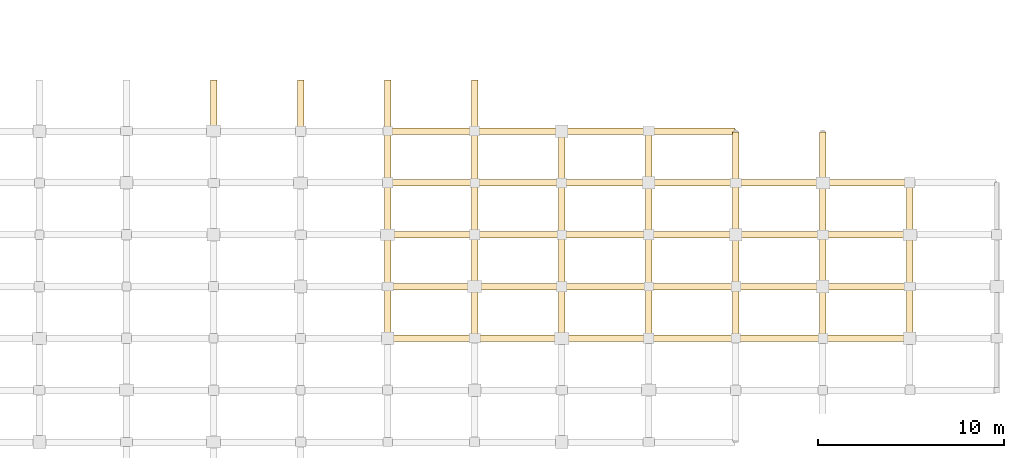
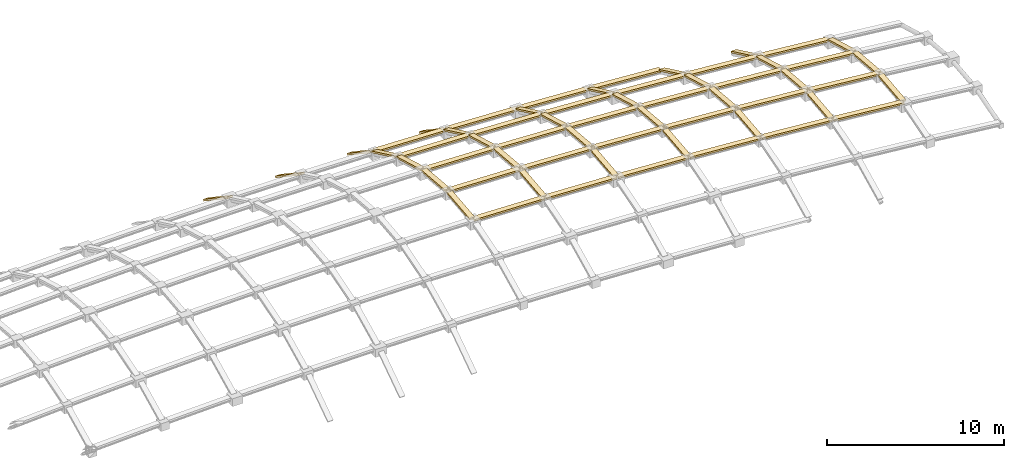
# One storey, part 35 of 36: 59 coverings.
"""IFC4 building model written with IfcOpenShell, lengths in metres."""

from ifc_helpers import new_model, si_unit, direction, frame, origin, place, context, subcontext, project, spatial, polyline, outline, extrude, material, layer, layer_set, type_object, element, save


model = new_model("IFC4")

# Units and contexts
model_context = context("Model", 3, precision=1e-05, world=origin(), true_north=direction((0.0, 1.0)))
body_context = subcontext(model_context, "Body", "Model", "MODEL_VIEW")
ifc_project = project(units=[si_unit("LENGTHUNIT", "METRE"), si_unit("AREAUNIT", "SQUARE_METRE"), si_unit("VOLUMEUNIT", "CUBIC_METRE"), si_unit("PLANEANGLEUNIT", "RADIAN"), si_unit("MASSUNIT", "GRAM", prefix="KILO")], contexts=[model_context])

# Site, building, storey
site_placement = place(None, origin())
site = spatial("IfcSite", under=ifc_project, at=site_placement, CompositionType="ELEMENT")
building_placement = place(site_placement, origin())
building = spatial("IfcBuilding", under=site, at=building_placement, Name="Quillay Park Conservatory", CompositionType="ELEMENT")
storey_placement = place(building_placement, frame((0.0, 0.0, 18.300048828125)))
storey = spatial("IfcBuildingStorey", under=building, at=storey_placement, Name="L04", CompositionType="ELEMENT", Elevation=18.300048828125)

# Coverings
ifc_material = material(Name="Thermally Broken Anodised Aluminium 6063-T6", Category="aluminium")
ifc_layer = layer(ifc_material, 0.090087890625)
ifc_layer_set = layer_set([ifc_layer], Name="GRIDSHELL GLAZING CAP BAR 90 (Thermally Broken Anodised Aluminium 6063-T6)")
covering_type = type_object("IfcCoveringType", Name="GRIDSHELL GLAZING CAP BAR 90", PredefinedType="CLADDING", material=ifc_layer_set)
for number, where, z_axis, x_axis, name in (
    (1, (72.574951171875, 107.8798828125, 1.15185546875), (0.0, 0.556164150236, 0.83107246254), (1.0, 0.0, 0.0), "Gridshell Transverse Glazing Cap Bar 09-08"),
    (2, (77.252685546875, 107.8798828125, 1.12060546875), (0.0, 0.556164150236, 0.83107246254), (1.0, 0.0, 0.0), "Gridshell Transverse Glazing Cap Bar 10-08"),
):
    element("IfcCovering", number, at=place(storey_placement, frame(where, z_axis=z_axis, x_axis=x_axis)), inside=storey, type_object=covering_type, Name=name, PredefinedType="CLADDING", context=body_context, shape_type="SweptSolid", body=[
        extrude(outline(polyline([(0.0, 0.0), (0.35009765625, 0.0), (0.35009765625, 3.230835715027263), (0.0, 3.230835715027263), (0.0, 0.0)])), origin(), (0.0, 0.0, -1.0), 0.1201171875),
    ])
covering_1_placement = place(storey_placement, frame((81.9306640625, 96.739990234375, 3.12841796875), z_axis=(0.0, -0.105607242225, 0.994407919513), x_axis=(1.0, 0.0, 0.0)))
element("IfcCovering", 3, at=covering_1_placement, inside=storey, type_object=covering_type, Name="Gridshell Transverse Glazing Cap Bar 11-04", PredefinedType="CLADDING", context=body_context, shape_type="SweptSolid", body=[
    extrude(outline(polyline([(0.0, 0.0), (0.349853515625, 0.0), (0.349853515625, 2.7001580951464286), (0.0, 2.7001580951464286), (0.0, 0.0)])), origin(), (0.0, 0.0, -1.0), 0.1201171875),
])
covering_2_placement = place(storey_placement, frame((81.9306640625, 99.52490234375, 3.41357421875), z_axis=(0.0, 0.086957947249, 0.996211983169), x_axis=(1.0, 0.0, 0.0)))
element("IfcCovering", 4, at=covering_2_placement, inside=storey, type_object=covering_type, Name="Gridshell Transverse Glazing Cap Bar 11-05", PredefinedType="CLADDING", context=body_context, shape_type="SweptSolid", body=[
    extrude(outline(polyline([(0.0, 0.0), (0.349853515625, 0.0), (0.349853515625, 2.6952683154921195), (0.0, 2.6952683154921195), (0.0, 0.0)])), origin(), (0.0, 0.0, -1.0), 0.1201171875),
])
covering_3_placement = place(storey_placement, frame((81.9306640625, 102.31005859375, 3.15966796875), z_axis=(0.0, 0.271622278609, 0.962403936901), x_axis=(1.0, 0.0, 0.0)))
element("IfcCovering", 5, at=covering_3_placement, inside=storey, type_object=covering_type, Name="Gridshell Transverse Glazing Cap Bar 11-06", PredefinedType="CLADDING", context=body_context, shape_type="SweptSolid", body=[
    extrude(outline(polyline([(0.0, 0.0), (0.349853515625, 0.0), (0.349853515625, 2.789949719444237), (0.0, 2.789949719444237), (0.0, 0.0)])), origin(), (0.0, 0.0, -1.0), 0.1201171875),
])
covering_4_placement = place(storey_placement, frame((81.9306640625, 105.094970703125, 2.36669921875), z_axis=(0.0, 0.429589332762, 0.903024365772), x_axis=(1.0, 0.0, 0.0)))
element("IfcCovering", 6, at=covering_4_placement, inside=storey, type_object=covering_type, Name="Gridshell Transverse Glazing Cap Bar 11-07", PredefinedType="CLADDING", context=body_context, shape_type="SweptSolid", body=[
    extrude(outline(polyline([(0.0, 0.0), (0.349853515625, 0.0), (0.349853515625, 2.973406582950739), (0.0, 2.973406582950739), (0.0, 0.0)])), origin(), (0.0, 0.0, -1.0), 0.1201171875),
])
covering_5_placement = place(storey_placement, frame((81.9306640625, 107.8798828125, 1.03466796875), z_axis=(0.0, 0.556164150236, 0.83107246254), x_axis=(1.0, 0.0, 0.0)))
element("IfcCovering", 7, at=covering_5_placement, inside=storey, type_object=covering_type, Name="Gridshell Transverse Glazing Cap Bar 11-08", PredefinedType="CLADDING", context=body_context, shape_type="SweptSolid", body=[
    extrude(outline(polyline([(0.0, 0.0), (0.349853515625, 0.0), (0.349853515625, 3.230835715027263), (0.0, 3.230835715027263), (0.0, 0.0)])), origin(), (0.0, 0.0, -1.0), 0.1201171875),
])
covering_6_placement = place(storey_placement, frame((86.6083984375, 96.739990234375, 2.97998046875), z_axis=(0.0, -0.105607242225, 0.994407919513), x_axis=(1.0, 0.0, 0.0)))
element("IfcCovering", 8, at=covering_6_placement, inside=storey, type_object=covering_type, Name="Gridshell Transverse Glazing Cap Bar 12-04", PredefinedType="CLADDING", context=body_context, shape_type="SweptSolid", body=[
    extrude(outline(polyline([(0.0, 0.0), (0.349853515625, 0.0), (0.349853515625, 2.7001580951464286), (0.0, 2.7001580951464286), (0.0, 0.0)])), origin(), (0.0, 0.0, -1.0), 0.1201171875),
])
covering_7_placement = place(storey_placement, frame((86.6083984375, 99.52490234375, 3.26513671875), z_axis=(0.0, 0.086957947249, 0.996211983169), x_axis=(1.0, 0.0, 0.0)))
element("IfcCovering", 9, at=covering_7_placement, inside=storey, type_object=covering_type, Name="Gridshell Transverse Glazing Cap Bar 12-05", PredefinedType="CLADDING", context=body_context, shape_type="SweptSolid", body=[
    extrude(outline(polyline([(0.0, 0.0), (0.349853515625, 0.0), (0.349853515625, 2.6952683154921195), (0.0, 2.6952683154921195), (0.0, 0.0)])), origin(), (0.0, 0.0, -1.0), 0.1201171875),
])
covering_8_placement = place(storey_placement, frame((86.6083984375, 102.31005859375, 3.01123046875), z_axis=(0.0, 0.271622278609, 0.962403936901), x_axis=(1.0, 0.0, 0.0)))
element("IfcCovering", 10, at=covering_8_placement, inside=storey, type_object=covering_type, Name="Gridshell Transverse Glazing Cap Bar 12-06", PredefinedType="CLADDING", context=body_context, shape_type="SweptSolid", body=[
    extrude(outline(polyline([(0.0, 0.0), (0.349853515625, 0.0), (0.349853515625, 2.789949719444237), (0.0, 2.789949719444237), (0.0, 0.0)])), origin(), (0.0, 0.0, -1.0), 0.1201171875),
])
covering_9_placement = place(storey_placement, frame((86.6083984375, 105.094970703125, 2.21826171875), z_axis=(0.0, 0.429589332762, 0.903024365772), x_axis=(1.0, 0.0, 0.0)))
element("IfcCovering", 11, at=covering_9_placement, inside=storey, type_object=covering_type, Name="Gridshell Transverse Glazing Cap Bar 12-07", PredefinedType="CLADDING", context=body_context, shape_type="SweptSolid", body=[
    extrude(outline(polyline([(0.0, 0.0), (0.349853515625, 0.0), (0.349853515625, 2.973406582950739), (0.0, 2.973406582950739), (0.0, 0.0)])), origin(), (0.0, 0.0, -1.0), 0.1201171875),
])
covering_10_placement = place(storey_placement, frame((86.6083984375, 107.8798828125, 0.88623046875), z_axis=(0.0, 0.556164150236, 0.83107246254), x_axis=(1.0, 0.0, 0.0)))
element("IfcCovering", 12, at=covering_10_placement, inside=storey, type_object=covering_type, Name="Gridshell Transverse Glazing Cap Bar 12-08", PredefinedType="CLADDING", context=body_context, shape_type="SweptSolid", body=[
    extrude(outline(polyline([(0.0, 0.0), (0.349853515625, 0.0), (0.349853515625, 3.230835715027263), (0.0, 3.230835715027263), (0.0, 0.0)])), origin(), (0.0, 0.0, -1.0), 0.1201171875),
])
covering_11_placement = place(storey_placement, frame((91.2861328125, 96.739990234375, 2.77685546875), z_axis=(0.0, -0.105607242225, 0.994407919513), x_axis=(1.0, 0.0, 0.0)))
element("IfcCovering", 13, at=covering_11_placement, inside=storey, type_object=covering_type, Name="Gridshell Transverse Glazing Cap Bar 13-04", PredefinedType="CLADDING", context=body_context, shape_type="SweptSolid", body=[
    extrude(outline(polyline([(0.0, 0.0), (0.349853515625, 0.0), (0.349853515625, 2.7001580951464286), (0.0, 2.7001580951464286), (0.0, 0.0)])), origin(), (0.0, 0.0, -1.0), 0.1201171875),
])
covering_12_placement = place(storey_placement, frame((91.2861328125, 99.52490234375, 3.06201171875), z_axis=(0.0, 0.086957947249, 0.996211983169), x_axis=(1.0, 0.0, 0.0)))
element("IfcCovering", 14, at=covering_12_placement, inside=storey, type_object=covering_type, Name="Gridshell Transverse Glazing Cap Bar 13-05", PredefinedType="CLADDING", context=body_context, shape_type="SweptSolid", body=[
    extrude(outline(polyline([(0.0, 0.0), (0.349853515625, 0.0), (0.349853515625, 2.6952683154921195), (0.0, 2.6952683154921195), (0.0, 0.0)])), origin(), (0.0, 0.0, -1.0), 0.1201171875),
])
covering_13_placement = place(storey_placement, frame((91.2861328125, 102.31005859375, 2.80810546875), z_axis=(0.0, 0.271622278609, 0.962403936901), x_axis=(1.0, 0.0, 0.0)))
element("IfcCovering", 15, at=covering_13_placement, inside=storey, type_object=covering_type, Name="Gridshell Transverse Glazing Cap Bar 13-06", PredefinedType="CLADDING", context=body_context, shape_type="SweptSolid", body=[
    extrude(outline(polyline([(0.0, 0.0), (0.349853515625, 0.0), (0.349853515625, 2.789949719444237), (0.0, 2.789949719444237), (0.0, 0.0)])), origin(), (0.0, 0.0, -1.0), 0.1201171875),
])
covering_14_placement = place(storey_placement, frame((91.2861328125, 105.094970703125, 2.01513671875), z_axis=(0.0, 0.429589332762, 0.903024365772), x_axis=(1.0, 0.0, 0.0)))
element("IfcCovering", 16, at=covering_14_placement, inside=storey, type_object=covering_type, Name="Gridshell Transverse Glazing Cap Bar 13-07", PredefinedType="CLADDING", context=body_context, shape_type="SweptSolid", body=[
    extrude(outline(polyline([(0.0, 0.0), (0.349853515625, 0.0), (0.349853515625, 2.973406582950739), (0.0, 2.973406582950739), (0.0, 0.0)])), origin(), (0.0, 0.0, -1.0), 0.1201171875),
])
covering_15_placement = place(storey_placement, frame((95.9638671875, 96.739990234375, 2.51513671875), z_axis=(0.0, -0.105607242225, 0.994407919513), x_axis=(1.0, 0.0, 0.0)))
element("IfcCovering", 17, at=covering_15_placement, inside=storey, type_object=covering_type, Name="Gridshell Transverse Glazing Cap Bar 14-04", PredefinedType="CLADDING", context=body_context, shape_type="SweptSolid", body=[
    extrude(outline(polyline([(0.0, 0.0), (0.35009765625, 0.0), (0.35009765625, 2.7001580951464286), (0.0, 2.7001580951464286), (0.0, 0.0)])), origin(), (0.0, 0.0, -1.0), 0.1201171875),
])
covering_16_placement = place(storey_placement, frame((95.9638671875, 99.52490234375, 2.80029296875), z_axis=(0.0, 0.086957947249, 0.996211983169), x_axis=(1.0, 0.0, 0.0)))
element("IfcCovering", 18, at=covering_16_placement, inside=storey, type_object=covering_type, Name="Gridshell Transverse Glazing Cap Bar 14-05", PredefinedType="CLADDING", context=body_context, shape_type="SweptSolid", body=[
    extrude(outline(polyline([(0.0, 0.0), (0.35009765625, 0.0), (0.35009765625, 2.6952683154921195), (0.0, 2.6952683154921195), (0.0, 0.0)])), origin(), (0.0, 0.0, -1.0), 0.1201171875),
])
covering_17_placement = place(storey_placement, frame((95.9638671875, 102.31005859375, 2.54638671875), z_axis=(0.0, 0.271622278609, 0.962403936901), x_axis=(1.0, 0.0, 0.0)))
element("IfcCovering", 19, at=covering_17_placement, inside=storey, type_object=covering_type, Name="Gridshell Transverse Glazing Cap Bar 14-06", PredefinedType="CLADDING", context=body_context, shape_type="SweptSolid", body=[
    extrude(outline(polyline([(0.0, 0.0), (0.35009765625, 0.0), (0.35009765625, 2.789949719444237), (0.0, 2.789949719444237), (0.0, 0.0)])), origin(), (0.0, 0.0, -1.0), 0.1201171875),
])
covering_18_placement = place(storey_placement, frame((95.9638671875, 105.094970703125, 1.75341796875), z_axis=(0.0, 0.429589332762, 0.903024365772), x_axis=(1.0, 0.0, 0.0)))
element("IfcCovering", 20, at=covering_18_placement, inside=storey, type_object=covering_type, Name="Gridshell Transverse Glazing Cap Bar 14-07", PredefinedType="CLADDING", context=body_context, shape_type="SweptSolid", body=[
    extrude(outline(polyline([(0.0, 0.0), (0.35009765625, 0.0), (0.35009765625, 2.973406582950739), (0.0, 2.973406582950739), (0.0, 0.0)])), origin(), (0.0, 0.0, -1.0), 0.1201171875),
])
covering_19_placement = place(storey_placement, frame((100.6416015625, 96.739990234375, 2.19482421875), z_axis=(0.0, -0.105607242225, 0.994407919513), x_axis=(1.0, 0.0, 0.0)))
element("IfcCovering", 21, at=covering_19_placement, inside=storey, type_object=covering_type, Name="Gridshell Transverse Glazing Cap Bar 15-04", PredefinedType="CLADDING", context=body_context, shape_type="SweptSolid", body=[
    extrude(outline(polyline([(0.0, 0.0), (0.35009765625, 0.0), (0.35009765625, 2.7001580951464286), (0.0, 2.7001580951464286), (0.0, 0.0)])), origin(), (0.0, 0.0, -1.0), 0.1201171875),
])
covering_20_placement = place(storey_placement, frame((100.6416015625, 99.52490234375, 2.47998046875), z_axis=(0.0, 0.086957947249, 0.996211983169), x_axis=(1.0, 0.0, 0.0)))
element("IfcCovering", 22, at=covering_20_placement, inside=storey, type_object=covering_type, Name="Gridshell Transverse Glazing Cap Bar 15-05", PredefinedType="CLADDING", context=body_context, shape_type="SweptSolid", body=[
    extrude(outline(polyline([(0.0, 0.0), (0.35009765625, 0.0), (0.35009765625, 2.6952683154921195), (0.0, 2.6952683154921195), (0.0, 0.0)])), origin(), (0.0, 0.0, -1.0), 0.1201171875),
])
covering_21_placement = place(storey_placement, frame((100.6416015625, 102.31005859375, 2.22607421875), z_axis=(0.0, 0.271622278609, 0.962403936901), x_axis=(1.0, 0.0, 0.0)))
element("IfcCovering", 23, at=covering_21_placement, inside=storey, type_object=covering_type, Name="Gridshell Transverse Glazing Cap Bar 15-06", PredefinedType="CLADDING", context=body_context, shape_type="SweptSolid", body=[
    extrude(outline(polyline([(0.0, 0.0), (0.35009765625, 0.0), (0.35009765625, 2.789949719444237), (0.0, 2.789949719444237), (0.0, 0.0)])), origin(), (0.0, 0.0, -1.0), 0.1201171875),
])
covering_22_placement = place(storey_placement, frame((100.6416015625, 105.094970703125, 1.43310546875), z_axis=(0.0, 0.429589332762, 0.903024365772), x_axis=(1.0, 0.0, 0.0)))
element("IfcCovering", 24, at=covering_22_placement, inside=storey, type_object=covering_type, Name="Gridshell Transverse Glazing Cap Bar 15-07", PredefinedType="CLADDING", context=body_context, shape_type="SweptSolid", body=[
    extrude(outline(polyline([(0.0, 0.0), (0.35009765625, 0.0), (0.35009765625, 2.973406582950739), (0.0, 2.973406582950739), (0.0, 0.0)])), origin(), (0.0, 0.0, -1.0), 0.1201171875),
])
covering_23_placement = place(storey_placement, frame((105.3193359375, 96.739990234375, 1.81591796875), z_axis=(0.0, -0.105607242225, 0.994407919513), x_axis=(1.0, 0.0, 0.0)))
element("IfcCovering", 25, at=covering_23_placement, inside=storey, type_object=covering_type, Name="Gridshell Transverse Glazing Cap Bar 16-04", PredefinedType="CLADDING", context=body_context, shape_type="SweptSolid", body=[
    extrude(outline(polyline([(0.0, 0.0), (0.35009765625, 0.0), (0.35009765625, 2.7001580951464286), (0.0, 2.7001580951464286), (0.0, 0.0)])), origin(), (0.0, 0.0, -1.0), 0.1201171875),
])
covering_24_placement = place(storey_placement, frame((105.3193359375, 99.52490234375, 2.10107421875), z_axis=(0.0, 0.086957947249, 0.996211983169), x_axis=(1.0, 0.0, 0.0)))
element("IfcCovering", 26, at=covering_24_placement, inside=storey, type_object=covering_type, Name="Gridshell Transverse Glazing Cap Bar 16-05", PredefinedType="CLADDING", context=body_context, shape_type="SweptSolid", body=[
    extrude(outline(polyline([(0.0, 0.0), (0.35009765625, 0.0), (0.35009765625, 2.6952683154921195), (0.0, 2.6952683154921195), (0.0, 0.0)])), origin(), (0.0, 0.0, -1.0), 0.1201171875),
])
covering_25_placement = place(storey_placement, frame((105.3193359375, 102.31005859375, 1.84716796875), z_axis=(0.0, 0.271622278609, 0.962403936901), x_axis=(1.0, 0.0, 0.0)))
element("IfcCovering", 27, at=covering_25_placement, inside=storey, type_object=covering_type, Name="Gridshell Transverse Glazing Cap Bar 16-06", PredefinedType="CLADDING", context=body_context, shape_type="SweptSolid", body=[
    extrude(outline(polyline([(0.0, 0.0), (0.35009765625, 0.0), (0.35009765625, 2.789949719444237), (0.0, 2.789949719444237), (0.0, 0.0)])), origin(), (0.0, 0.0, -1.0), 0.1201171875),
])
covering_26_placement = place(storey_placement, frame((105.3193359375, 105.094970703125, 1.05419921875), z_axis=(0.0, 0.429589332762, 0.903024365772), x_axis=(1.0, 0.0, 0.0)))
element("IfcCovering", 28, at=covering_26_placement, inside=storey, type_object=covering_type, Name="Gridshell Transverse Glazing Cap Bar 16-07", PredefinedType="CLADDING", context=body_context, shape_type="SweptSolid", body=[
    extrude(outline(polyline([(0.0, 0.0), (0.35009765625, 0.0), (0.35009765625, 2.973406582950739), (0.0, 2.973406582950739), (0.0, 0.0)])), origin(), (0.0, 0.0, -1.0), 0.1201171875),
])
covering_27_placement = place(storey_placement, frame((109.997314453125, 96.739990234375, 1.37841796875), z_axis=(0.0, -0.105607242225, 0.994407919513), x_axis=(1.0, 0.0, 0.0)))
element("IfcCovering", 29, at=covering_27_placement, inside=storey, type_object=covering_type, Name="Gridshell Transverse Glazing Cap Bar 17-04", PredefinedType="CLADDING", context=body_context, shape_type="SweptSolid", body=[
    extrude(outline(polyline([(0.0, 0.0), (0.349853515625, 0.0), (0.349853515625, 2.7001580951464286), (0.0, 2.7001580951464286), (0.0, 0.0)])), origin(), (0.0, 0.0, -1.0), 0.1201171875),
])
covering_28_placement = place(storey_placement, frame((109.997314453125, 99.52490234375, 1.66357421875), z_axis=(0.0, 0.086957947249, 0.996211983169), x_axis=(1.0, 0.0, 0.0)))
element("IfcCovering", 30, at=covering_28_placement, inside=storey, type_object=covering_type, Name="Gridshell Transverse Glazing Cap Bar 17-05", PredefinedType="CLADDING", context=body_context, shape_type="SweptSolid", body=[
    extrude(outline(polyline([(0.0, 0.0), (0.349853515625, 0.0), (0.349853515625, 2.6952683154921195), (0.0, 2.6952683154921195), (0.0, 0.0)])), origin(), (0.0, 0.0, -1.0), 0.1201171875),
])
covering_29_placement = place(storey_placement, frame((109.997314453125, 102.31005859375, 1.40966796875), z_axis=(0.0, 0.271622278609, 0.962403936901), x_axis=(1.0, 0.0, 0.0)))
element("IfcCovering", 31, at=covering_29_placement, inside=storey, type_object=covering_type, Name="Gridshell Transverse Glazing Cap Bar 17-06", PredefinedType="CLADDING", context=body_context, shape_type="SweptSolid", body=[
    extrude(outline(polyline([(0.0, 0.0), (0.349853515625, 0.0), (0.349853515625, 2.789949719444237), (0.0, 2.789949719444237), (0.0, 0.0)])), origin(), (0.0, 0.0, -1.0), 0.1201171875),
])
covering_30_placement = place(storey_placement, frame((82.155517578125, 96.514892578125, 3.11669921875), z_axis=(0.030703878741, 0.0, 0.999528524771), x_axis=(0.999528524771, 0.0, -0.030703878741)))
element("IfcCovering", 32, at=covering_30_placement, inside=storey, type_object=covering_type, Name="Gridshell Longitudinal Glazing Cap Bar 11-04", PredefinedType="CLADDING", context=body_context, shape_type="SweptSolid", body=[
    extrude(outline(polyline([(0.0, 0.0), (4.580040234894994, 0.0), (4.580040234894994, 0.35009765625), (0.0, 0.35009765625), (0.0, 0.0)])), origin(), (0.0, 0.0, -1.0), 0.1201171875),
])
covering_31_placement = place(storey_placement, frame((86.833251953125, 96.514892578125, 2.97216796875), z_axis=(0.043476530855, 0.0, 0.999054448599), x_axis=(0.999054448599, 0.0, -0.043476530855)))
element("IfcCovering", 33, at=covering_31_placement, inside=storey, type_object=covering_type, Name="Gridshell Longitudinal Glazing Cap Bar 12-04", PredefinedType="CLADDING", context=body_context, shape_type="SweptSolid", body=[
    extrude(outline(polyline([(0.0, 0.0), (4.582213577844616, 0.0), (4.582213577844616, 0.35009765625000006), (0.0, 0.35009765625000006), (0.0, 0.0)])), origin(), (0.0, 0.0, -1.0), 0.1201171875),
])
covering_32_placement = place(storey_placement, frame((91.510986328125, 96.514892578125, 2.76904296875), z_axis=(0.056227900695, 0.0, 0.998417960167), x_axis=(0.998417960167, 0.0, -0.056227900695)))
element("IfcCovering", 34, at=covering_32_placement, inside=storey, type_object=covering_type, Name="Gridshell Longitudinal Glazing Cap Bar 13-04", PredefinedType="CLADDING", context=body_context, shape_type="SweptSolid", body=[
    extrude(outline(polyline([(0.0, 0.0), (4.585134725151295, 0.0), (4.585134725151295, 0.35009765625), (0.0, 0.35009765625), (0.0, 0.0)])), origin(), (0.0, 0.0, -1.0), 0.1201171875),
])
covering_33_placement = place(storey_placement, frame((96.18896484375, 96.514892578125, 2.50341796875), z_axis=(0.068108147653, 0.0, 0.99767794414), x_axis=(0.99767794414, 0.0, -0.068108147653)))
element("IfcCovering", 35, at=covering_33_placement, inside=storey, type_object=covering_type, Name="Gridshell Longitudinal Glazing Cap Bar 14-04", PredefinedType="CLADDING", context=body_context, shape_type="SweptSolid", body=[
    extrude(outline(polyline([(0.0, 0.0), (4.588290986723518, 0.0), (4.588290986723518, 0.35009765625), (0.0, 0.35009765625), (0.0, 0.0)])), origin(), (0.0, 0.0, -1.0), 0.1201171875),
])
covering_34_placement = place(storey_placement, frame((100.86669921875, 96.514892578125, 2.18310546875), z_axis=(0.080801595311, 0.0, 0.996730205319), x_axis=(0.996730205319, 0.0, -0.080801595311)))
element("IfcCovering", 36, at=covering_34_placement, inside=storey, type_object=covering_type, Name="Gridshell Longitudinal Glazing Cap Bar 15-04", PredefinedType="CLADDING", context=body_context, shape_type="SweptSolid", body=[
    extrude(outline(polyline([(0.0, 0.0), (4.592653753565289, 0.0), (4.592653753565289, 0.35009765625), (0.0, 0.35009765625), (0.0, 0.0)])), origin(), (0.0, 0.0, -1.0), 0.1201171875),
])
covering_35_placement = place(storey_placement, frame((105.54443359375, 96.514892578125, 1.80419921875), z_axis=(0.093450911608, 0.0, 0.995623888383), x_axis=(0.995623888383, 0.0, -0.093450911608)))
element("IfcCovering", 37, at=covering_35_placement, inside=storey, type_object=covering_type, Name="Gridshell Longitudinal Glazing Cap Bar 16-04", PredefinedType="CLADDING", context=body_context, shape_type="SweptSolid", body=[
    extrude(outline(polyline([(0.0, 0.0), (4.5980022303483326, 0.0), (4.5980022303483326, 0.35009765624999994), (0.0, 0.35009765624999994), (0.0, 0.0)])), origin(), (0.0, 0.0, -1.0), 0.1201171875),
])
covering_36_placement = place(storey_placement, frame((82.155517578125, 99.300048828125, 3.40966796875), z_axis=(0.030703878741, 0.0, 0.999528524771), x_axis=(0.999528524771, 0.0, -0.030703878741)))
element("IfcCovering", 38, at=covering_36_placement, inside=storey, type_object=covering_type, Name="Gridshell Longitudinal Glazing Cap Bar 11-05", PredefinedType="CLADDING", context=body_context, shape_type="SweptSolid", body=[
    extrude(outline(polyline([(0.0, 0.0), (4.580040234894994, 0.0), (4.580040234894994, 0.349853515625), (0.0, 0.349853515625), (0.0, 0.0)])), origin(), (0.0, 0.0, -1.0), 0.1201171875),
])
covering_37_placement = place(storey_placement, frame((86.833251953125, 99.300048828125, 3.26513671875), z_axis=(0.043476530855, 0.0, 0.999054448599), x_axis=(0.999054448599, 0.0, -0.043476530855)))
element("IfcCovering", 39, at=covering_37_placement, inside=storey, type_object=covering_type, Name="Gridshell Longitudinal Glazing Cap Bar 12-05", PredefinedType="CLADDING", context=body_context, shape_type="SweptSolid", body=[
    extrude(outline(polyline([(0.0, 0.0), (4.582213577844616, 0.0), (4.582213577844616, 0.349853515625), (0.0, 0.349853515625), (0.0, 0.0)])), origin(), (0.0, 0.0, -1.0), 0.1201171875),
])
covering_38_placement = place(storey_placement, frame((91.510986328125, 99.300048828125, 3.06201171875), z_axis=(0.056227900695, 0.0, 0.998417960167), x_axis=(0.998417960167, 0.0, -0.056227900695)))
element("IfcCovering", 40, at=covering_38_placement, inside=storey, type_object=covering_type, Name="Gridshell Longitudinal Glazing Cap Bar 13-05", PredefinedType="CLADDING", context=body_context, shape_type="SweptSolid", body=[
    extrude(outline(polyline([(0.0, 0.0), (4.585134725151295, 0.0), (4.585134725151295, 0.349853515625), (0.0, 0.349853515625), (0.0, 0.0)])), origin(), (0.0, 0.0, -1.0), 0.1201171875),
])
covering_39_placement = place(storey_placement, frame((96.18896484375, 99.300048828125, 2.79638671875), z_axis=(0.068108147653, 0.0, 0.99767794414), x_axis=(0.99767794414, 0.0, -0.068108147653)))
element("IfcCovering", 41, at=covering_39_placement, inside=storey, type_object=covering_type, Name="Gridshell Longitudinal Glazing Cap Bar 14-05", PredefinedType="CLADDING", context=body_context, shape_type="SweptSolid", body=[
    extrude(outline(polyline([(0.0, 0.0), (4.588290986723518, 0.0), (4.588290986723518, 0.349853515625), (0.0, 0.349853515625), (0.0, 0.0)])), origin(), (0.0, 0.0, -1.0), 0.1201171875),
])
covering_40_placement = place(storey_placement, frame((100.86669921875, 99.300048828125, 2.47607421875), z_axis=(0.080801595311, 0.0, 0.996730205319), x_axis=(0.996730205319, 0.0, -0.080801595311)))
element("IfcCovering", 42, at=covering_40_placement, inside=storey, type_object=covering_type, Name="Gridshell Longitudinal Glazing Cap Bar 15-05", PredefinedType="CLADDING", context=body_context, shape_type="SweptSolid", body=[
    extrude(outline(polyline([(0.0, 0.0), (4.592653753565289, 0.0), (4.592653753565289, 0.349853515625), (0.0, 0.349853515625), (0.0, 0.0)])), origin(), (0.0, 0.0, -1.0), 0.1201171875),
])
covering_41_placement = place(storey_placement, frame((105.54443359375, 99.300048828125, 2.09716796875), z_axis=(0.093450911608, 0.0, 0.995623888383), x_axis=(0.995623888383, 0.0, -0.093450911608)))
element("IfcCovering", 43, at=covering_41_placement, inside=storey, type_object=covering_type, Name="Gridshell Longitudinal Glazing Cap Bar 16-05", PredefinedType="CLADDING", context=body_context, shape_type="SweptSolid", body=[
    extrude(outline(polyline([(0.0, 0.0), (4.5980022303483326, 0.0), (4.5980022303483326, 0.34985351562499994), (0.0, 0.34985351562499994), (0.0, 0.0)])), origin(), (0.0, 0.0, -1.0), 0.1201171875),
])
covering_42_placement = place(storey_placement, frame((82.155517578125, 102.0849609375, 3.16357421875), z_axis=(0.030703878741, 0.0, 0.999528524771), x_axis=(0.999528524771, 0.0, -0.030703878741)))
element("IfcCovering", 44, at=covering_42_placement, inside=storey, type_object=covering_type, Name="Gridshell Longitudinal Glazing Cap Bar 11-06", PredefinedType="CLADDING", context=body_context, shape_type="SweptSolid", body=[
    extrude(outline(polyline([(0.0, 0.0), (4.580040234894994, 0.0), (4.580040234894994, 0.35009765625), (0.0, 0.35009765625), (0.0, 0.0)])), origin(), (0.0, 0.0, -1.0), 0.1201171875),
])
covering_43_placement = place(storey_placement, frame((86.833251953125, 102.0849609375, 3.01904296875), z_axis=(0.043476530855, 0.0, 0.999054448599), x_axis=(0.999054448599, 0.0, -0.043476530855)))
element("IfcCovering", 45, at=covering_43_placement, inside=storey, type_object=covering_type, Name="Gridshell Longitudinal Glazing Cap Bar 12-06", PredefinedType="CLADDING", context=body_context, shape_type="SweptSolid", body=[
    extrude(outline(polyline([(0.0, 0.0), (4.582213577844616, 0.0), (4.582213577844616, 0.35009765625000006), (0.0, 0.35009765625000006), (0.0, 0.0)])), origin(), (0.0, 0.0, -1.0), 0.1201171875),
])
covering_44_placement = place(storey_placement, frame((91.510986328125, 102.0849609375, 2.81591796875), z_axis=(0.056227900695, 0.0, 0.998417960167), x_axis=(0.998417960167, 0.0, -0.056227900695)))
element("IfcCovering", 46, at=covering_44_placement, inside=storey, type_object=covering_type, Name="Gridshell Longitudinal Glazing Cap Bar 13-06", PredefinedType="CLADDING", context=body_context, shape_type="SweptSolid", body=[
    extrude(outline(polyline([(0.0, 0.0), (4.585134725151295, 0.0), (4.585134725151295, 0.35009765625), (0.0, 0.35009765625), (0.0, 0.0)])), origin(), (0.0, 0.0, -1.0), 0.1201171875),
])
covering_45_placement = place(storey_placement, frame((96.18896484375, 102.0849609375, 2.55029296875), z_axis=(0.068108147653, 0.0, 0.99767794414), x_axis=(0.99767794414, 0.0, -0.068108147653)))
element("IfcCovering", 47, at=covering_45_placement, inside=storey, type_object=covering_type, Name="Gridshell Longitudinal Glazing Cap Bar 14-06", PredefinedType="CLADDING", context=body_context, shape_type="SweptSolid", body=[
    extrude(outline(polyline([(0.0, 0.0), (4.588290986723518, 0.0), (4.588290986723518, 0.35009765625), (0.0, 0.35009765625), (0.0, 0.0)])), origin(), (0.0, 0.0, -1.0), 0.1201171875),
])
covering_46_placement = place(storey_placement, frame((100.86669921875, 102.0849609375, 2.22998046875), z_axis=(0.080801595311, 0.0, 0.996730205319), x_axis=(0.996730205319, 0.0, -0.080801595311)))
element("IfcCovering", 48, at=covering_46_placement, inside=storey, type_object=covering_type, Name="Gridshell Longitudinal Glazing Cap Bar 15-06", PredefinedType="CLADDING", context=body_context, shape_type="SweptSolid", body=[
    extrude(outline(polyline([(0.0, 0.0), (4.592653753565289, 0.0), (4.592653753565289, 0.35009765625), (0.0, 0.35009765625), (0.0, 0.0)])), origin(), (0.0, 0.0, -1.0), 0.1201171875),
])
covering_47_placement = place(storey_placement, frame((105.54443359375, 102.0849609375, 1.85107421875), z_axis=(0.093450911608, 0.0, 0.995623888383), x_axis=(0.995623888383, 0.0, -0.093450911608)))
element("IfcCovering", 49, at=covering_47_placement, inside=storey, type_object=covering_type, Name="Gridshell Longitudinal Glazing Cap Bar 16-06", PredefinedType="CLADDING", context=body_context, shape_type="SweptSolid", body=[
    extrude(outline(polyline([(0.0, 0.0), (4.5980022303483326, 0.0), (4.5980022303483326, 0.35009765624999994), (0.0, 0.35009765624999994), (0.0, 0.0)])), origin(), (0.0, 0.0, -1.0), 0.1201171875),
])
covering_48_placement = place(storey_placement, frame((82.155517578125, 104.8701171875, 2.38232421875), z_axis=(0.030703878741, 0.0, 0.999528524771), x_axis=(0.999528524771, 0.0, -0.030703878741)))
element("IfcCovering", 50, at=covering_48_placement, inside=storey, type_object=covering_type, Name="Gridshell Longitudinal Glazing Cap Bar 11-07", PredefinedType="CLADDING", context=body_context, shape_type="SweptSolid", body=[
    extrude(outline(polyline([(0.0, 0.0), (4.580040234894994, 0.0), (4.580040234894994, 0.349853515625), (0.0, 0.349853515625), (0.0, 0.0)])), origin(), (0.0, 0.0, -1.0), 0.1201171875),
])
covering_49_placement = place(storey_placement, frame((86.833251953125, 104.8701171875, 2.23779296875), z_axis=(0.043476530855, 0.0, 0.999054448599), x_axis=(0.999054448599, 0.0, -0.043476530855)))
element("IfcCovering", 51, at=covering_49_placement, inside=storey, type_object=covering_type, Name="Gridshell Longitudinal Glazing Cap Bar 12-07", PredefinedType="CLADDING", context=body_context, shape_type="SweptSolid", body=[
    extrude(outline(polyline([(0.0, 0.0), (4.582213577844616, 0.0), (4.582213577844616, 0.349853515625), (0.0, 0.349853515625), (0.0, 0.0)])), origin(), (0.0, 0.0, -1.0), 0.1201171875),
])
covering_50_placement = place(storey_placement, frame((91.510986328125, 104.8701171875, 2.03466796875), z_axis=(0.056227900695, 0.0, 0.998417960167), x_axis=(0.998417960167, 0.0, -0.056227900695)))
element("IfcCovering", 52, at=covering_50_placement, inside=storey, type_object=covering_type, Name="Gridshell Longitudinal Glazing Cap Bar 13-07", PredefinedType="CLADDING", context=body_context, shape_type="SweptSolid", body=[
    extrude(outline(polyline([(0.0, 0.0), (4.585134725151295, 0.0), (4.585134725151295, 0.349853515625), (0.0, 0.349853515625), (0.0, 0.0)])), origin(), (0.0, 0.0, -1.0), 0.1201171875),
])
covering_51_placement = place(storey_placement, frame((96.18896484375, 104.8701171875, 1.76904296875), z_axis=(0.068108147653, 0.0, 0.99767794414), x_axis=(0.99767794414, 0.0, -0.068108147653)))
element("IfcCovering", 53, at=covering_51_placement, inside=storey, type_object=covering_type, Name="Gridshell Longitudinal Glazing Cap Bar 14-07", PredefinedType="CLADDING", context=body_context, shape_type="SweptSolid", body=[
    extrude(outline(polyline([(0.0, 0.0), (4.588290986723518, 0.0), (4.588290986723518, 0.349853515625), (0.0, 0.349853515625), (0.0, 0.0)])), origin(), (0.0, 0.0, -1.0), 0.1201171875),
])
covering_52_placement = place(storey_placement, frame((100.86669921875, 104.8701171875, 1.44873046875), z_axis=(0.080801595311, 0.0, 0.996730205319), x_axis=(0.996730205319, 0.0, -0.080801595311)))
element("IfcCovering", 54, at=covering_52_placement, inside=storey, type_object=covering_type, Name="Gridshell Longitudinal Glazing Cap Bar 15-07", PredefinedType="CLADDING", context=body_context, shape_type="SweptSolid", body=[
    extrude(outline(polyline([(0.0, 0.0), (4.592653753565289, 0.0), (4.592653753565289, 0.349853515625), (0.0, 0.349853515625), (0.0, 0.0)])), origin(), (0.0, 0.0, -1.0), 0.1201171875),
])
covering_53_placement = place(storey_placement, frame((105.54443359375, 104.8701171875, 1.06982421875), z_axis=(0.093450911608, 0.0, 0.995623888383), x_axis=(0.995623888383, 0.0, -0.093450911608)))
element("IfcCovering", 55, at=covering_53_placement, inside=storey, type_object=covering_type, Name="Gridshell Longitudinal Glazing Cap Bar 16-07", PredefinedType="CLADDING", context=body_context, shape_type="SweptSolid", body=[
    extrude(outline(polyline([(0.0, 0.0), (4.5980022303483326, 0.0), (4.5980022303483326, 0.34985351562499994), (0.0, 0.34985351562499994), (0.0, 0.0)])), origin(), (0.0, 0.0, -1.0), 0.1201171875),
])
covering_54_placement = place(storey_placement, frame((82.155517578125, 107.655029296875, 1.05810546875), z_axis=(0.030703878741, 0.0, 0.999528524771), x_axis=(0.999528524771, 0.0, -0.030703878741)))
element("IfcCovering", 56, at=covering_54_placement, inside=storey, type_object=covering_type, Name="Gridshell Longitudinal Glazing Cap Bar 11-08", PredefinedType="CLADDING", context=body_context, shape_type="SweptSolid", body=[
    extrude(outline(polyline([(0.0, 0.0), (4.580040234894994, 0.0), (4.580040234894994, 0.349853515625), (0.0, 0.349853515625), (0.0, 0.0)])), origin(), (0.0, 0.0, -1.0), 0.1201171875),
])
covering_55_placement = place(storey_placement, frame((86.833251953125, 107.655029296875, 0.91357421875), z_axis=(0.043476530855, 0.0, 0.999054448599), x_axis=(0.999054448599, 0.0, -0.043476530855)))
element("IfcCovering", 57, at=covering_55_placement, inside=storey, type_object=covering_type, Name="Gridshell Longitudinal Glazing Cap Bar 12-08", PredefinedType="CLADDING", context=body_context, shape_type="SweptSolid", body=[
    extrude(outline(polyline([(0.0, 0.0), (4.582213577844616, 0.0), (4.582213577844616, 0.349853515625), (0.0, 0.349853515625), (0.0, 0.0)])), origin(), (0.0, 0.0, -1.0), 0.1201171875),
])
covering_56_placement = place(storey_placement, frame((91.510986328125, 107.655029296875, 0.71044921875), z_axis=(0.056227900695, 0.0, 0.998417960167), x_axis=(0.998417960167, 0.0, -0.056227900695)))
element("IfcCovering", 58, at=covering_56_placement, inside=storey, type_object=covering_type, Name="Gridshell Longitudinal Glazing Cap Bar 13-08", PredefinedType="CLADDING", context=body_context, shape_type="SweptSolid", body=[
    extrude(outline(polyline([(0.0, 0.0), (4.585134725151295, 0.0), (4.585134725151295, 0.349853515625), (0.0, 0.349853515625), (0.0, 0.0)])), origin(), (0.0, 0.0, -1.0), 0.1201171875),
])
covering_57_placement = place(storey_placement, frame((96.18896484375, 107.655029296875, 0.44482421875), z_axis=(0.068108147653, 0.0, 0.99767794414), x_axis=(0.99767794414, 0.0, -0.068108147653)))
element("IfcCovering", 59, at=covering_57_placement, inside=storey, type_object=covering_type, Name="Gridshell Longitudinal Glazing Cap Bar 14-08", PredefinedType="CLADDING", context=body_context, shape_type="SweptSolid", body=[
    extrude(outline(polyline([(0.0, 0.0), (4.588290986723518, 0.0), (4.588290986723518, 0.349853515625), (0.0, 0.349853515625), (0.0, 0.0)])), origin(), (0.0, 0.0, -1.0), 0.1201171875),
])

save(model, "model.ifc")
